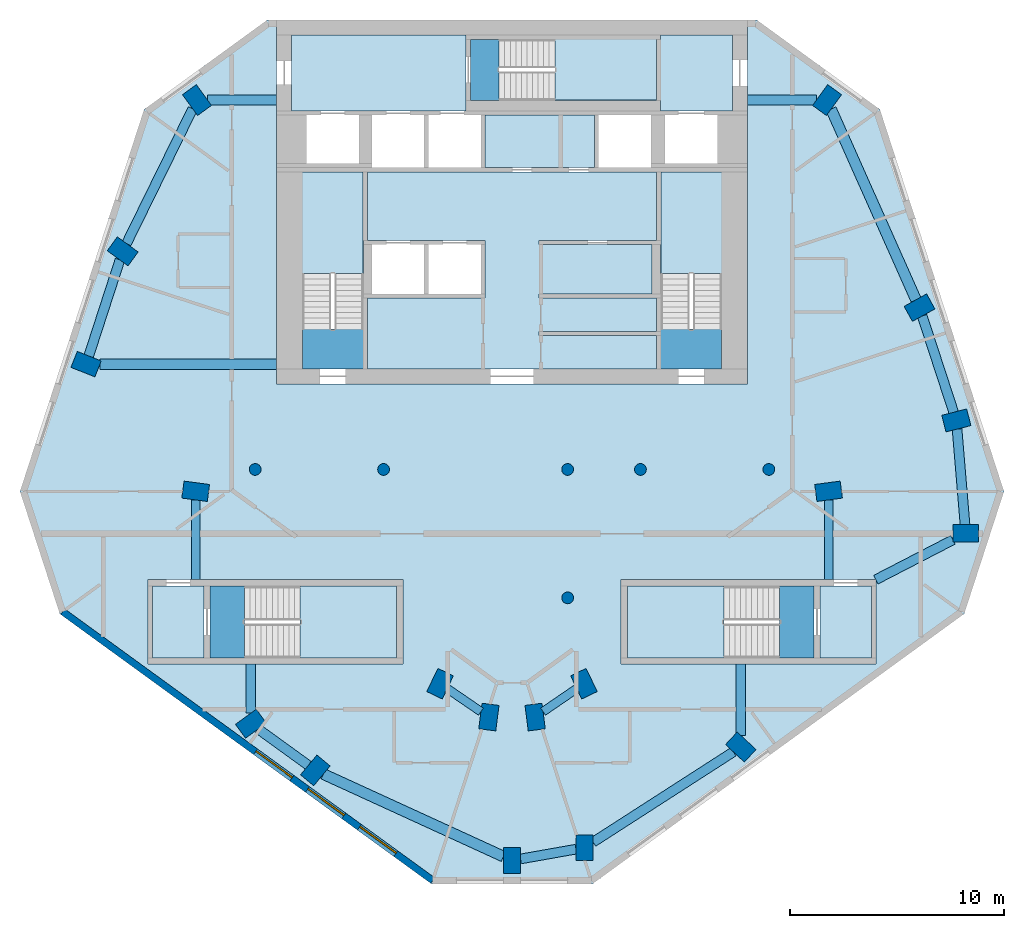
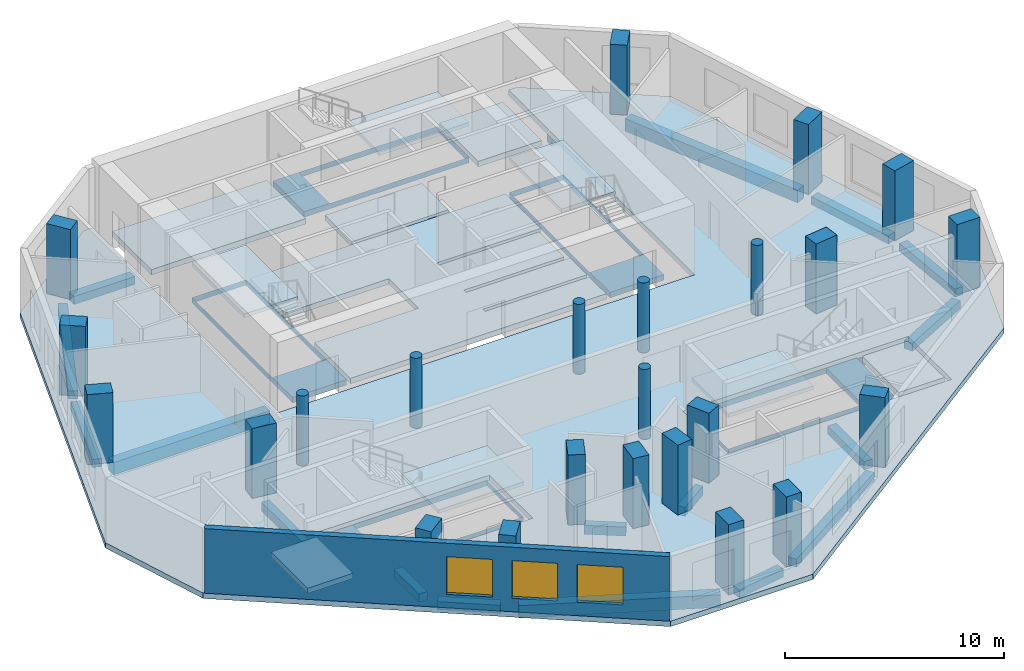
# One storey, part 1 of 8: 24 columns, 19 beams, 17 slabs, 3 windows, 1 wall, 3 openings, 5 elements without a shape of their own.
"""IFC4 building model written with IfcOpenShell, lengths in metres."""

from ifc_helpers import new_model, si_unit, direction, frame, frame_2d, origin, origin_2d, place, context, subcontext, project, spatial, polyline, rectangle, circle, outline, extrude, material, layer, layer_set, material_profile, profile_set, type_object, element, fill, aggregate, save


model = new_model("IFC4")

# Units and contexts
model_context = context("Model", 3, precision=1e-05, world=origin(), true_north=direction((0.0, 1.0)))
body_context = subcontext(model_context, "Body", "Model", "MODEL_VIEW")
ifc_project = project(units=[si_unit("LENGTHUNIT", "METRE"), si_unit("AREAUNIT", "SQUARE_METRE"), si_unit("VOLUMEUNIT", "CUBIC_METRE"), si_unit("PLANEANGLEUNIT", "RADIAN"), si_unit("MASSUNIT", "GRAM", prefix="KILO")], contexts=[model_context])

# Site, building, storey
site_placement = place(None, origin())
site = spatial("IfcSite", under=ifc_project, at=site_placement, CompositionType="ELEMENT")
building_placement = place(site_placement, origin())
building = spatial("IfcBuilding", under=site, at=building_placement, Name="White Candle Pilgrim Tower", CompositionType="ELEMENT")
storey_placement = place(building_placement, frame((0.0, 0.0, 287.300048828125)))
storey = spatial("IfcBuildingStorey", under=building, at=storey_placement, Name="L68", CompositionType="ELEMENT", Elevation=287.300048828125)

# Columns
ifc_material_1 = material(Name="Concrete C60/75", Category="concrete")
ifc_material_profile_1 = material_profile(ifc_material_1, circle(Radius=0.27490234375, at=origin_2d()), Name="RC-COL D550")
ifc_profile_set_1 = profile_set([ifc_material_profile_1], Name="Concrete C60/75")
column_type_1 = type_object("IfcColumnType", Name="Interior column RC-COL D550 C60/75", PredefinedType="COLUMN", material=ifc_profile_set_1)
for number, where, z_axis, x_axis, name in (
    (1, (58.0, 67.0, 0.0), (0.0, 0.0, 1.0), (1.0, 0.0, 0.0), "L68 column I01"),
    (2, (64.0, 67.0, 0.0), (0.0, 0.0, 1.0), (1.0, 0.0, 0.0), "L68 column I02"),
    (3, (72.60009765625, 61.0, 0.0), (0.0, 0.0, 1.0), (1.0, 0.0, 0.0), "L68 column I03"),
    (4, (72.60009765625, 67.0, 0.0), (0.0, 0.0, 1.0), (1.0, 0.0, 0.0), "L68 column I04"),
    (5, (76.0, 67.0, 0.0), (0.0, 0.0, 1.0), (1.0, 0.0, 0.0), "L68 column I05"),
    (6, (82.0, 67.0, 0.0), (0.0, 0.0, 1.0), (1.0, 0.0, 0.0), "L68 column I06"),
):
    element("IfcColumn", number, at=place(storey_placement, frame(where, z_axis=z_axis, x_axis=x_axis)), inside=storey, type_object=column_type_1, Name=name, PredefinedType="COLUMN", context=body_context, shape_type="SweptSolid", body=[
        extrude(circle(Radius=0.27490234375, at=origin_2d()), origin(), (0.0, 0.0, 1.0), 3.89990234375),
    ])
ifc_material_profile_2 = material_profile(ifc_material_1, rectangle(XDim=0.800048828125, YDim=1.199951171875, at=origin_2d()), Name="RC-PR 800x1200")
ifc_profile_set_2 = profile_set([ifc_material_profile_2], Name="Concrete C60/75")
column_type_2 = type_object("IfcColumnType", Name="Perimeter column RC-PR 800x1200 C60/75", PredefinedType="COLUMN", material=ifc_profile_set_2)
for number, where, z_axis, x_axis, name in (
    (7, (57.800048828125, 55.1201171875, 0.0), (0.0, 0.0, 1.0), (-0.58846280644, 0.808524288711, 0.0), "L68 column T01"),
    (8, (60.81005859375, 52.93994140625, 0.0), (0.0, 0.0, 1.0), (-0.769310358735, 0.638875239733, 0.0), "L68 column T02"),
    (9, (70.0, 48.72998046875, 0.0), (0.0, 0.0, 1.0), (-1.0, 0.0, 0.0), "L68 column T03"),
    (10, (73.389892578125, 49.330078125, 0.0), (0.0, 0.0, 1.0), (-1.0, 0.0, 0.0), "L68 column T04"),
    (11, (80.68994140625, 54.030029296875, 0.0), (0.0, 0.0, 1.0), (-0.681998360062, -0.731353701619, 0.0), "L68 column T05"),
    (12, (91.199951171875, 64.02001953125, 0.0), (0.0, 0.0, 1.0), (0.000855211229, -0.999999634307, 0.0), "L68 column T06"),
    (13, (90.760009765625, 69.2900390625, 0.0), (0.0, 0.0, 1.0), (0.246880623275, -0.969045900797, 0.0), "L68 column T07"),
    (14, (89.0400390625, 74.56005859375, 0.0), (0.0, 0.0, 1.0), (0.484809620246, -0.874619707139, 0.0), "L68 column T08"),
    (15, (84.719970703125, 84.260009765625, 0.0), (0.0, 0.0, 1.0), (0.80902725304, -0.587771132193, 0.0), "L68 column T09"),
    (16, (55.280029296875, 84.260009765625, 0.0), (0.0, 0.0, 1.0), (0.80902725304, 0.587771132193, 0.0), "L68 column T10"),
    (17, (51.81005859375, 77.18994140625, 0.0), (0.0, 0.0, 1.0), (0.587107285614, 0.809509132239, 0.0), "L68 column T11"),
    (18, (50.10009765625, 71.919921875, 0.0), (0.0, 0.0, 1.0), (0.369860269472, 0.929087391512, 0.0), "L68 column T12"),
):
    element("IfcColumn", number, at=place(storey_placement, frame(where, z_axis=z_axis, x_axis=x_axis)), inside=storey, type_object=column_type_2, Name=name, PredefinedType="COLUMN", context=body_context, shape_type="SweptSolid", body=[
        extrude(rectangle(XDim=0.800048828125, YDim=1.199951171875, at=origin_2d()), origin(), (0.0, 0.0, 1.0), 3.89990234375),
    ])
ifc_material_profile_3 = material_profile(ifc_material_1, rectangle(XDim=0.800048828125, YDim=1.199951171875, at=origin_2d()), Name="RC-PR 800x1200")
ifc_profile_set_3 = profile_set([ifc_material_profile_3], Name="Concrete C60/75")
column_type_3 = type_object("IfcColumnType", Name="Ring column RC-PR 800x1200 C60/75", PredefinedType="COLUMN", material=ifc_profile_set_3)
for number, where, z_axis, x_axis, name in (
    (19, (66.639892578125, 56.989990234375, 0.0), (0.0, 0.0, 1.0), (-0.901689191761, 0.43238478403, 0.0), "L68 column R01"),
    (20, (68.919921875, 55.429931640625, 0.0), (0.0, 0.0, 1.0), (-0.992092811428, 0.125506388335, 0.0), "L68 column R02"),
    (21, (71.080078125, 55.429931640625, 0.0), (0.0, 0.0, 1.0), (-0.992092811428, -0.125506388335, 0.0), "L68 column R03"),
    (22, (73.360107421875, 56.989990234375, 0.0), (0.0, 0.0, 1.0), (-0.901689191761, -0.43238478403, 0.0), "L68 column R04"),
    (23, (84.7900390625, 65.97998046875, 0.0), (0.0, 0.0, 1.0), (0.132602381688, -0.991169313675, 0.0), "L68 column R05"),
    (24, (55.219970703125, 65.97998046875, 0.0), (0.0, 0.0, 1.0), (0.132602381688, 0.991169313675, 0.0), "L68 column R06"),
):
    element("IfcColumn", number, at=place(storey_placement, frame(where, z_axis=z_axis, x_axis=x_axis)), inside=storey, type_object=column_type_3, Name=name, PredefinedType="COLUMN", context=body_context, shape_type="SweptSolid", body=[
        extrude(rectangle(XDim=0.800048828125, YDim=1.199951171875, at=origin_2d()), origin(), (0.0, 0.0, 1.0), 3.89990234375),
    ])

# Beams
ifc_material_2 = material(Name="Concrete C50/60", Category="concrete")
ifc_material_profile_4 = material_profile(ifc_material_2, rectangle(XDim=0.39990234375, YDim=0.5, at=origin_2d()), Name="RC-BM 400x500")
ifc_profile_set_4 = profile_set([ifc_material_profile_4], Name="Concrete C50/60")
beam_type_1 = type_object("IfcBeamType", Name="Ring beam RC-BM 400x500 C50/60", PredefinedType="BEAM", material=ifc_profile_set_4)
for number, where, z_axis, x_axis, name in (
    (25, (66.97412109375, 56.761474609375, -0.550048828125), (0.825257044892, -0.564757301729, 0.0), (0.564757301729, 0.825257044892, 0.0), "L68 ring beam R01"),
    (26, (71.451171875, 55.683837890625, -0.550048828125), (0.825257044892, 0.564757301729, 0.0), (-0.564757301729, 0.825257044892, 0.0), "L68 ring beam R02"),
):
    element("IfcBeam", number, at=place(storey_placement, frame(where, z_axis=z_axis, x_axis=x_axis)), inside=storey, type_object=beam_type_1, Name=name, PredefinedType="BEAM", context=body_context, shape_type="SweptSolid", body=[
        extrude(rectangle(XDim=0.39990234375, YDim=0.5, at=origin_2d()), origin(), (0.0, 0.0, 1.0), 1.908203125),
    ])
for number, where, z_axis, x_axis, name in (
    (27, (84.7900390625, 65.576416015625, -0.550048828125), (0.0, -1.0, 0.0), (1.0, 0.0, 0.0), "L68 ring beam R03"),
    (28, (55.219970703125, 65.576416015625, -0.550048828125), (0.0, -1.0, 0.0), (1.0, 0.0, 0.0), "L68 ring beam R04"),
):
    element("IfcBeam", number, at=place(storey_placement, frame(where, z_axis=z_axis, x_axis=x_axis)), inside=storey, type_object=beam_type_1, Name=name, PredefinedType="BEAM", context=body_context, shape_type="SweptSolid", body=[
        extrude(rectangle(XDim=0.39990234375, YDim=0.5, at=origin_2d()), origin(), (0.0, 0.0, 1.0), 3.726318359375),
    ])
ifc_material_profile_5 = material_profile(ifc_material_2, rectangle(XDim=0.449951171875, YDim=0.449951171875, at=origin_2d()), Name="RC-BM 450x450")
ifc_profile_set_5 = profile_set([ifc_material_profile_5], Name="Concrete C50/60")
beam_type_2 = type_object("IfcBeamType", Name="Spandrel beam RC-BM 450x450 C50/60", PredefinedType="BEAM", material=ifc_profile_set_5)
beam_1_placement = place(storey_placement, frame((58.140625, 54.873291015625, -0.525146484375), z_axis=(0.809886863982, -0.586586112647, 0.0), x_axis=(0.586586112647, 0.809886863982, 0.0)))
element("IfcBeam", 29, at=beam_1_placement, inside=storey, type_object=beam_type_2, Name="L68 spandrel beam T01", PredefinedType="BEAM", context=body_context, shape_type="SweptSolid", body=[
    extrude(rectangle(XDim=0.449951171875, YDim=0.449951171875, at=origin_2d()), origin(), (0.0, 0.0, 1.0), 2.89501953125),
])
beam_2_placement = place(storey_placement, frame((70.39990234375, 48.80078125, -0.525146484375), z_axis=(0.984690914207, 0.174309504843, 0.0), x_axis=(-0.174309504843, 0.984690914207, 0.0)))
element("IfcBeam", 30, at=beam_2_placement, inside=storey, type_object=beam_type_2, Name="L68 spandrel beam T03", PredefinedType="BEAM", context=body_context, shape_type="SweptSolid", body=[
    extrude(rectangle(XDim=0.449951171875, YDim=0.449951171875, at=origin_2d()), origin(), (0.0, 0.0, 1.0), 2.63037109375),
])
beam_3_placement = place(storey_placement, frame((73.7900390625, 49.58740234375, -0.525146484375), z_axis=(0.840792523654, 0.541357490175, 0.0), x_axis=(-0.541357490175, 0.840792523654, 0.0)))
element("IfcBeam", 31, at=beam_3_placement, inside=storey, type_object=beam_type_2, Name="L68 spandrel beam T04", PredefinedType="BEAM", context=body_context, shape_type="SweptSolid", body=[
    extrude(rectangle(XDim=0.449951171875, YDim=0.449951171875, at=origin_2d()), origin(), (0.0, 0.0, 1.0), 7.793701171875),
])
beam_4_placement = place(storey_placement, frame((80.68994140625, 54.576904296875, -0.525146484375), z_axis=(0.0, 1.0, 0.0), x_axis=(-1.0, 0.0, 0.0)))
element("IfcBeam", 32, at=beam_4_placement, inside=storey, type_object=beam_type_2, Name="L68 spandrel beam T05", PredefinedType="BEAM", context=body_context, shape_type="SweptSolid", body=[
    extrude(rectangle(XDim=0.449951171875, YDim=0.449951171875, at=origin_2d()), origin(), (0.0, 0.0, 1.0), 3.322998046875),
])
beam_5_placement = place(storey_placement, frame((90.600341796875, 63.710205078125, -0.525146484375), z_axis=(-0.888432867753, -0.459006578925, 0.0), x_axis=(0.459006578925, -0.888432867753, 0.0)))
element("IfcBeam", 33, at=beam_5_placement, inside=storey, type_object=beam_type_2, Name="L68 spandrel beam T06", PredefinedType="BEAM", context=body_context, shape_type="SweptSolid", body=[
    extrude(rectangle(XDim=0.449951171875, YDim=0.449951171875, at=origin_2d()), origin(), (0.0, 0.0, 1.0), 4.052490234375),
])
beam_6_placement = place(storey_placement, frame((91.16650390625, 64.419921875, -0.525146484375), z_axis=(-0.083189754962, 0.996533724803, 0.0), x_axis=(-0.996533724803, -0.083189754962, 0.0)))
element("IfcBeam", 34, at=beam_6_placement, inside=storey, type_object=beam_type_2, Name="L68 spandrel beam T07", PredefinedType="BEAM", context=body_context, shape_type="SweptSolid", body=[
    extrude(rectangle(XDim=0.449951171875, YDim=0.449951171875, at=origin_2d()), origin(), (0.0, 0.0, 1.0), 4.4814453125),
])
beam_7_placement = place(storey_placement, frame((90.635498046875, 69.671142578125, -0.525146484375), z_axis=(-0.310235376741, 0.950659776691, 0.0), x_axis=(-0.950659776691, -0.310235376741, 0.0)))
element("IfcBeam", 35, at=beam_7_placement, inside=storey, type_object=beam_type_2, Name="L68 spandrel beam T08", PredefinedType="BEAM", context=body_context, shape_type="SweptSolid", body=[
    extrude(rectangle(XDim=0.449951171875, YDim=0.449951171875, at=origin_2d()), origin(), (0.0, 0.0, 1.0), 4.735107421875),
])
for number, where, z_axis, x_axis, name in (
    (36, (84.2255859375, 84.260009765625, -0.525146484375), (-1.0, 0.0, 0.0), (0.0, -1.0, 0.0), "L68 spandrel beam T10"),
    (37, (55.7744140625, 84.260009765625, -0.525146484375), (1.0, 0.0, 0.0), (0.0, 1.0, 0.0), "L68 spandrel beam T11"),
):
    element("IfcBeam", number, at=place(storey_placement, frame(where, z_axis=z_axis, x_axis=x_axis)), inside=storey, type_object=beam_type_2, Name=name, PredefinedType="BEAM", context=body_context, shape_type="SweptSolid", body=[
        extrude(rectangle(XDim=0.449951171875, YDim=0.449951171875, at=origin_2d()), origin(), (0.0, 0.0, 1.0), 3.2255859375),
    ])
beam_8_placement = place(storey_placement, frame((55.080810546875, 83.853759765625, -0.525146484375), z_axis=(-0.440604884501, -0.897701139441, 0.0), x_axis=(0.897701139441, -0.440604884501, 0.0)))
element("IfcBeam", 38, at=beam_8_placement, inside=storey, type_object=beam_type_2, Name="L68 spandrel beam T12", PredefinedType="BEAM", context=body_context, shape_type="SweptSolid", body=[
    extrude(rectangle(XDim=0.449951171875, YDim=0.449951171875, at=origin_2d()), origin(), (0.0, 0.0, 1.0), 7.01708984375),
])
beam_9_placement = place(storey_placement, frame((51.68017578125, 76.7900390625, -0.525146484375), z_axis=(-0.308643859688, -0.95117767419, 0.0), x_axis=(0.95117767419, -0.308643859688, 0.0)))
element("IfcBeam", 39, at=beam_9_placement, inside=storey, type_object=beam_type_2, Name="L68 spandrel beam T13", PredefinedType="BEAM", context=body_context, shape_type="SweptSolid", body=[
    extrude(rectangle(XDim=0.449951171875, YDim=0.449951171875, at=origin_2d()), origin(), (0.0, 0.0, 1.0), 4.71923828125),
])
beam_10_placement = place(storey_placement, frame((57.800048828125, 55.61474609375, -0.525146484375), z_axis=(0.0, 1.0, 0.0), x_axis=(-1.0, 0.0, 0.0)))
element("IfcBeam", 40, at=beam_10_placement, inside=storey, type_object=beam_type_2, Name="L68 spandrel beam T15", PredefinedType="BEAM", context=body_context, shape_type="SweptSolid", body=[
    extrude(rectangle(XDim=0.449951171875, YDim=0.449951171875, at=origin_2d()), origin(), (0.0, 0.0, 1.0), 2.28515625),
])
ifc_material_profile_6 = material_profile(ifc_material_2, rectangle(XDim=0.5, YDim=0.699951171875, at=origin_2d()), Name="RC-BM 500x700")
ifc_profile_set_6 = profile_set([ifc_material_profile_6], Name="Concrete C50/60")
beam_type_3 = type_object("IfcBeamType", Name="Spandrel beam RC-BM 500x700 C50/60", PredefinedType="BEAM", material=ifc_profile_set_6)
beam_11_placement = place(storey_placement, frame((61.186767578125, 52.767578125, -0.650146484375), z_axis=(0.90913101106, -0.416510269656, 0.0), x_axis=(0.416510269656, 0.90913101106, 0.0)))
element("IfcBeam", 41, at=beam_11_placement, inside=storey, type_object=beam_type_3, Name="L68 spandrel beam T02", PredefinedType="BEAM", context=body_context, shape_type="SweptSolid", body=[
    extrude(rectangle(XDim=0.5, YDim=0.699951171875, at=origin_2d()), origin(), (0.0, 0.0, 1.0), 9.254150390625),
])
beam_12_placement = place(storey_placement, frame((88.876708984375, 74.9267578125, -0.650146484375), z_axis=(-0.406834969126, 0.913501673724, 0.0), x_axis=(-0.913501673724, -0.406834969126, 0.0)))
element("IfcBeam", 42, at=beam_12_placement, inside=storey, type_object=beam_type_3, Name="L68 spandrel beam T09", PredefinedType="BEAM", context=body_context, shape_type="SweptSolid", body=[
    extrude(rectangle(XDim=0.5, YDim=0.699951171875, at=origin_2d()), origin(), (0.0, 0.0, 1.0), 9.755126953125),
])
beam_13_placement = place(storey_placement, frame((50.745849609375, 71.919921875, -0.650146484375), z_axis=(1.0, 0.0, 0.0), x_axis=(0.0, 1.0, 0.0)))
element("IfcBeam", 43, at=beam_13_placement, inside=storey, type_object=beam_type_3, Name="L68 spandrel beam T14", PredefinedType="BEAM", context=body_context, shape_type="SweptSolid", body=[
    extrude(rectangle(XDim=0.5, YDim=0.699951171875, at=origin_2d()), origin(), (0.0, 0.0, 1.0), 8.254150390625),
])

# Slabs
ifc_material_3 = material(Name="Concrete C40/50", Category="concrete")
ifc_layer_1 = layer(ifc_material_3, 0.300048828125)
ifc_layer_set_1 = layer_set([ifc_layer_1], Name="Core floor slab 300 mm Concrete C40/50")
slab_type_1 = type_object("IfcSlabType", Name="Core floor slab 300 mm Concrete C40/50", PredefinedType="FLOOR", material=ifc_layer_set_1)
slab_1_placement = place(storey_placement, frame((0.0, 0.0, -0.300048828125)))
element("IfcSlab", 44, at=slab_1_placement, inside=storey, type_object=slab_type_1, Name="CF-L68-01", PredefinedType="FLOOR", context=body_context, shape_type="SweptSolid", body=[
    extrude(outline(polyline([(55.60009765625, 58.199951171875), (53.199951171875, 58.199951171875), (53.199951171875, 61.550048828125), (55.60009765625, 61.550048828125), (55.60009765625, 58.199951171875)])), origin(), (0.0, 0.0, 1.0), 0.300048828125),
])
slab_2_placement = place(storey_placement, frame((0.0, 0.0, -0.300048828125)))
element("IfcSlab", 45, at=slab_2_placement, inside=storey, type_object=slab_type_1, Name="CF-L68-02", PredefinedType="FLOOR", context=body_context, shape_type="SweptSolid", body=[
    extrude(outline(polyline([(55.89990234375, 58.199951171875), (55.89990234375, 61.550048828125), (64.60009765625, 61.550048828125), (64.60009765625, 58.199951171875), (55.89990234375, 58.199951171875)]), holes=[polyline([(57.501953125, 61.548095703125), (57.501953125, 58.201904296875), (64.597900390625, 58.201904296875), (64.597900390625, 61.548095703125), (57.501953125, 61.548095703125)])]), origin(), (0.0, 0.0, 1.0), 0.300048828125),
])
slab_3_placement = place(storey_placement, frame((0.0, 0.0, -0.300048828125)))
element("IfcSlab", 46, at=slab_3_placement, inside=storey, type_object=slab_type_1, Name="CF-L68-03", PredefinedType="FLOOR", context=body_context, shape_type="SweptSolid", body=[
    extrude(outline(polyline([(75.39990234375, 58.199951171875), (75.39990234375, 61.550048828125), (84.10009765625, 61.550048828125), (84.10009765625, 58.199951171875), (75.39990234375, 58.199951171875)]), holes=[polyline([(82.498046875, 61.548095703125), (75.402099609375, 61.548095703125), (75.402099609375, 58.201904296875), (82.498046875, 58.201904296875), (82.498046875, 61.548095703125)])]), origin(), (0.0, 0.0, 1.0), 0.300048828125),
])
slab_4_placement = place(storey_placement, frame((0.0, 0.0, -0.300048828125)))
element("IfcSlab", 47, at=slab_4_placement, inside=storey, type_object=slab_type_1, Name="CF-L68-04", PredefinedType="FLOOR", context=body_context, shape_type="SweptSolid", body=[
    extrude(outline(polyline([(86.800048828125, 58.199951171875), (84.39990234375, 58.199951171875), (84.39990234375, 61.550048828125), (86.800048828125, 61.550048828125), (86.800048828125, 58.199951171875)])), origin(), (0.0, 0.0, 1.0), 0.300048828125),
])
slab_5_placement = place(storey_placement, frame((0.0, 0.0, -0.300048828125)))
element("IfcSlab", 48, at=slab_5_placement, inside=storey, type_object=slab_type_1, Name="CF-L68-05", PredefinedType="FLOOR", context=body_context, shape_type="SweptSolid", body=[
    extrude(outline(polyline([(76.949951171875, 71.699951171875), (76.949951171875, 73.25), (76.949951171875, 73.449951171875), (76.949951171875, 75.0), (76.949951171875, 75.199951171875), (76.949951171875, 77.5), (76.949951171875, 77.699951171875), (76.949951171875, 80.89990234375), (79.800048828125, 80.89990234375), (79.800048828125, 71.699951171875), (76.949951171875, 71.699951171875)]), holes=[polyline([(76.951904296875, 73.552001953125), (79.798095703125, 73.552001953125), (79.798095703125, 80.89794921875), (76.951904296875, 80.89794921875), (76.951904296875, 73.552001953125)])]), origin(), (0.0, 0.0, 1.0), 0.300048828125),
])
slab_6_placement = place(storey_placement, frame((0.0, 0.0, -0.300048828125)))
element("IfcSlab", 49, at=slab_6_placement, inside=storey, type_object=slab_type_1, Name="CF-L68-06", PredefinedType="FLOOR", context=body_context, shape_type="SweptSolid", body=[
    extrude(outline(polyline([(63.25, 71.699951171875), (63.25, 75.0), (68.75, 75.0), (68.75, 75.199951171875), (68.75, 77.5), (68.75, 77.699951171875), (63.25, 77.699951171875), (63.25, 80.89990234375), (76.75, 80.89990234375), (76.75, 77.699951171875), (71.25, 77.699951171875), (71.25, 77.5), (76.550048828125, 77.5), (76.550048828125, 75.199951171875), (71.25, 75.199951171875), (71.25, 75.0), (76.75, 75.0), (76.75, 73.449951171875), (71.25, 73.449951171875), (71.25, 73.25), (76.75, 73.25), (76.75, 71.699951171875), (63.25, 71.699951171875)])), origin(), (0.0, 0.0, 1.0), 0.300048828125),
])
slab_7_placement = place(storey_placement, frame((0.0, 0.0, -0.300048828125)))
element("IfcSlab", 50, at=slab_7_placement, inside=storey, type_object=slab_type_1, Name="CF-L68-07", PredefinedType="FLOOR", context=body_context, shape_type="SweptSolid", body=[
    extrude(outline(polyline([(60.199951171875, 71.699951171875), (60.199951171875, 80.89990234375), (63.050048828125, 80.89990234375), (63.050048828125, 77.699951171875), (63.050048828125, 77.5), (63.050048828125, 75.199951171875), (63.050048828125, 75.0), (63.050048828125, 71.699951171875), (60.199951171875, 71.699951171875)]), holes=[polyline([(60.201904296875, 73.552001953125), (63.048095703125, 73.552001953125), (63.048095703125, 80.89794921875), (60.201904296875, 80.89794921875), (60.201904296875, 73.552001953125)])]), origin(), (0.0, 0.0, 1.0), 0.300048828125),
])
slab_8_placement = place(storey_placement, frame((0.0, 0.0, -0.300048828125)))
element("IfcSlab", 51, at=slab_8_placement, inside=storey, type_object=slab_type_1, Name="CF-L68-08", PredefinedType="FLOOR", context=body_context, shape_type="SweptSolid", body=[
    extrude(outline(polyline([(59.699951171875, 87.300048828125), (67.85009765625, 87.300048828125), (67.85009765625, 87.10009765625), (67.85009765625, 84.25), (67.85009765625, 83.75), (59.699951171875, 83.75), (59.699951171875, 87.300048828125)])), origin(), (0.0, 0.0, 1.0), 0.300048828125),
])
slab_9_placement = place(storey_placement, frame((0.0, 0.0, -0.300048828125)))
element("IfcSlab", 52, at=slab_9_placement, inside=storey, type_object=slab_type_1, Name="CF-L68-09", PredefinedType="FLOOR", context=body_context, shape_type="SweptSolid", body=[
    extrude(outline(polyline([(80.300048828125, 87.300048828125), (80.300048828125, 83.75), (76.949951171875, 83.75), (76.949951171875, 84.25), (76.949951171875, 87.10009765625), (76.949951171875, 87.300048828125), (80.300048828125, 87.300048828125)])), origin(), (0.0, 0.0, 1.0), 0.300048828125),
])
slab_10_placement = place(storey_placement, frame((0.0, 0.0, -0.300048828125)))
element("IfcSlab", 53, at=slab_10_placement, inside=storey, type_object=slab_type_1, Name="CF-L68-10", PredefinedType="FLOOR", context=body_context, shape_type="SweptSolid", body=[
    extrude(outline(polyline([(68.75, 81.10009765625), (68.75, 83.550048828125), (73.85009765625, 83.550048828125), (73.85009765625, 81.10009765625), (68.75, 81.10009765625)])), origin(), (0.0, 0.0, 1.0), 0.300048828125),
])
slab_11_placement = place(storey_placement, frame((0.0, 0.0, -0.300048828125)))
element("IfcSlab", 54, at=slab_11_placement, inside=storey, type_object=slab_type_1, Name="CF-L68-11", PredefinedType="FLOOR", context=body_context, shape_type="SweptSolid", body=[
    extrude(outline(polyline([(68.050048828125, 87.10009765625), (76.75, 87.10009765625), (76.75, 84.25), (68.050048828125, 84.25), (68.050048828125, 87.10009765625)]), holes=[polyline([(69.402099609375, 84.251953125), (76.748046875, 84.251953125), (76.748046875, 87.097900390625), (69.402099609375, 87.097900390625), (69.402099609375, 84.251953125)])]), origin(), (0.0, 0.0, 1.0), 0.300048828125),
])
ifc_layer_2 = layer(ifc_material_3, 0.300048828125)
ifc_layer_set_2 = layer_set([ifc_layer_2], Name="Floor slab 300 REI 120")
slab_type_2 = type_object("IfcSlabType", Name="Floor slab 300 REI 120", PredefinedType="FLOOR", material=ifc_layer_set_2)
slab_12_placement = place(storey_placement, frame((0.0, 0.0, -0.300048828125)))
element("IfcSlab", 55, at=slab_12_placement, inside=storey, type_object=slab_type_2, Name="L68 floor slab", PredefinedType="FLOOR", context=body_context, shape_type="SweptSolid", body=[
    extrude(outline(polyline([(66.242919921875, 47.6337890625), (73.757080078125, 47.6337890625), (91.129638671875, 60.255859375), (92.98779296875, 65.974853515625), (87.189453125, 83.82080078125), (81.43701171875, 88.0), (81.0, 88.0), (81.0, 71.0), (59.0, 71.0), (59.0, 88.0), (58.56298828125, 88.0), (52.810546875, 83.82080078125), (47.01220703125, 65.974853515625), (48.870361328125, 60.255859375), (66.242919921875, 47.6337890625)]), holes=[polyline([(53.0, 57.89990234375), (53.0, 61.85009765625), (64.89990234375, 61.85009765625), (64.89990234375, 57.89990234375), (53.0, 57.89990234375)]), polyline([(75.10009765625, 57.89990234375), (75.10009765625, 61.85009765625), (87.0, 61.85009765625), (87.0, 57.89990234375), (75.10009765625, 57.89990234375)])]), origin(), (0.0, 0.0, 1.0), 0.300048828125),
])

# Stair, slab
stair_type_1 = type_object("IfcStairType", Name="Exit stair 1 flight width 1350 mm", PredefinedType="HALF_TURN_STAIR", material=ifc_material_3)
stair_1_placement = place(storey_placement, origin())
stair_1 = element("IfcStair", 56, at=stair_1_placement, inside=storey, type_object=stair_type_1, Name="L68 stair 1", PredefinedType="NOTDEFINED")
ifc_layer_3 = layer(ifc_material_3, 0.199951171875)
ifc_layer_set_3 = layer_set([ifc_layer_3], Name="Stair landing Concrete C40/50")
slab_type_3 = type_object("IfcSlabType", Name="Stair landing Concrete C40/50", PredefinedType="LANDING", material=ifc_layer_set_3)
slab_13_placement = place(storey_placement, frame((0.0, 0.0, 1.75)))
slab_13 = element("IfcSlab", 57, at=slab_13_placement, type_object=slab_type_3, Name="ST1 landing 1", PredefinedType="LANDING", context=body_context, shape_type="SweptSolid", body=[
    extrude(outline(polyline([(63.052001953125, 76.14794921875), (60.197998046875, 76.14794921875), (60.197998046875, 80.902099609375), (63.052001953125, 80.902099609375), (63.052001953125, 76.14794921875)])), origin(), (0.0, 0.0, 1.0), 0.199951171875),
])
aggregate(stair_1, [slab_13])

stair_type_2 = type_object("IfcStairType", Name="Exit stair 2 flight width 1350 mm", PredefinedType="HALF_TURN_STAIR", material=ifc_material_3)
stair_2_placement = place(storey_placement, origin())
stair_2 = element("IfcStair", 58, at=stair_2_placement, inside=storey, type_object=stair_type_2, Name="L68 stair 2", PredefinedType="NOTDEFINED")
slab_14_placement = place(storey_placement, frame((0.0, 0.0, 1.75)))
slab_14 = element("IfcSlab", 59, at=slab_14_placement, type_object=slab_type_3, Name="ST2 landing 1", PredefinedType="LANDING", context=body_context, shape_type="SweptSolid", body=[
    extrude(outline(polyline([(79.802001953125, 76.14794921875), (76.947998046875, 76.14794921875), (76.947998046875, 80.902099609375), (79.802001953125, 80.902099609375), (79.802001953125, 76.14794921875)])), origin(), (0.0, 0.0, 1.0), 0.199951171875),
])
aggregate(stair_2, [slab_14])

stair_type_3 = type_object("IfcStairType", Name="Exit stair 3 flight width 1350 mm", PredefinedType="HALF_TURN_STAIR", material=ifc_material_3)
stair_3_placement = place(storey_placement, origin())
stair_3 = element("IfcStair", 60, at=stair_3_placement, inside=storey, type_object=stair_type_3, Name="L68 stair 3", PredefinedType="NOTDEFINED")
slab_15_placement = place(storey_placement, frame((0.0, 0.0, 1.75)))
slab_15 = element("IfcSlab", 61, at=slab_15_placement, type_object=slab_type_3, Name="ST3 landing 1", PredefinedType="LANDING", context=body_context, shape_type="SweptSolid", body=[
    extrude(outline(polyline([(71.998046875, 84.248046875), (71.998046875, 87.10205078125), (76.751953125, 87.10205078125), (76.751953125, 84.248046875), (71.998046875, 84.248046875)])), origin(), (0.0, 0.0, 1.0), 0.199951171875),
])
aggregate(stair_3, [slab_15])

stair_type_4 = type_object("IfcStairType", Name="Exit stair 4 flight width 1600 mm", PredefinedType="HALF_TURN_STAIR", material=ifc_material_3)
stair_4_placement = place(storey_placement, origin())
stair_4 = element("IfcStair", 62, at=stair_4_placement, inside=storey, type_object=stair_type_4, Name="L68 stair 4", PredefinedType="NOTDEFINED")
slab_16_placement = place(storey_placement, frame((0.0, 0.0, 1.75)))
slab_16 = element("IfcSlab", 63, at=slab_16_placement, type_object=slab_type_3, Name="ST4 landing 1", PredefinedType="LANDING", context=body_context, shape_type="SweptSolid", body=[
    extrude(outline(polyline([(79.902099609375, 61.552001953125), (79.902099609375, 58.197998046875), (75.39794921875, 58.197998046875), (75.39794921875, 61.552001953125), (79.902099609375, 61.552001953125)])), origin(), (0.0, 0.0, 1.0), 0.199951171875),
])
aggregate(stair_4, [slab_16])

stair_type_5 = type_object("IfcStairType", Name="Exit stair 5 flight width 1600 mm", PredefinedType="HALF_TURN_STAIR", material=ifc_material_3)
stair_5_placement = place(storey_placement, origin())
stair_5 = element("IfcStair", 64, at=stair_5_placement, inside=storey, type_object=stair_type_5, Name="L68 stair 5", PredefinedType="NOTDEFINED")
slab_17_placement = place(storey_placement, frame((0.0, 0.0, 1.75)))
slab_17 = element("IfcSlab", 65, at=slab_17_placement, type_object=slab_type_3, Name="ST5 landing 1", PredefinedType="LANDING", context=body_context, shape_type="SweptSolid", body=[
    extrude(outline(polyline([(60.097900390625, 58.197998046875), (60.097900390625, 61.552001953125), (64.60205078125, 61.552001953125), (64.60205078125, 58.197998046875), (60.097900390625, 58.197998046875)])), origin(), (0.0, 0.0, 1.0), 0.199951171875),
])
aggregate(stair_5, [slab_17])

# Wall, openings, windows
ifc_material_4 = material(Name="Precast concrete C40/50", Category="concrete")
ifc_layer_4 = layer(ifc_material_4, 0.320068359375)
ifc_layer_set_4 = layer_set([ifc_layer_4], Name="Facade wall EW1 precast concrete C40/50 pier wall with timber-lined reveals")
wall_type = type_object("IfcWallType", Name="Facade wall EW1 precast concrete C40/50 pier wall with timber-lined reveals", PredefinedType="SOLIDWALL", material=ifc_layer_set_4)
wall_placement = place(storey_placement, frame((49.00634765625, 60.354736328125, 0.0), z_axis=(0.0, 0.0, 1.0), x_axis=(0.809019072803, -0.58778239157, 0.0)))
wall = element("IfcWall", 66, at=wall_placement, inside=storey, type_object=wall_type, Name="Facade wall L68 SW", PredefinedType="SOLIDWALL", context=body_context, shape_type="SweptSolid", body=[
    extrude(rectangle(XDim=21.369873046875, YDim=0.320068359375, at=frame_2d((10.68505859375, 0.0))), origin(), (0.0, 0.0, 1.0), 3.599853515625),
])
opening_1_placement = place(wall_placement, frame((11.135009765625, 0.0, 0.75)))
opening_1 = element("IfcOpeningElement", 67, at=opening_1_placement, cuts=wall, Name="Opening W3", PredefinedType="OPENING", context=body_context, shape_type="SweptSolid", body=[
    extrude(rectangle(XDim=2.10009765625, YDim=2.10009765625, at=frame_2d((1.050048828125, 1.050048828125))), frame((0.0, 0.169921875, 0.0), z_axis=(0.0, -1.0, 0.0), x_axis=(1.0, 0.0, 0.0)), (0.0, 0.0, 1.0), 0.340087890625),
])
opening_2_placement = place(wall_placement, frame((14.135009765625, 0.0, 0.75)))
opening_2 = element("IfcOpeningElement", 68, at=opening_2_placement, cuts=wall, Name="Opening W3", PredefinedType="OPENING", context=body_context, shape_type="SweptSolid", body=[
    extrude(rectangle(XDim=2.10009765625, YDim=2.10009765625, at=frame_2d((1.050048828125, 1.050048828125))), frame((0.0, 0.169921875, 0.0), z_axis=(0.0, -1.0, 0.0), x_axis=(1.0, 0.0, 0.0)), (0.0, 0.0, 1.0), 0.340087890625),
])
opening_3_placement = place(wall_placement, frame((17.135009765625, 0.0, 0.75)))
opening_3 = element("IfcOpeningElement", 69, at=opening_3_placement, cuts=wall, Name="Opening W3", PredefinedType="OPENING", context=body_context, shape_type="SweptSolid", body=[
    extrude(rectangle(XDim=2.10009765625, YDim=2.10009765625, at=frame_2d((1.050048828125, 1.050048828125))), frame((0.0, 0.169921875, 0.0), z_axis=(0.0, -1.0, 0.0), x_axis=(1.0, 0.0, 0.0)), (0.0, 0.0, 1.0), 0.340087890625),
])
ifc_material_5 = material(Name="Timber frame with triple glazing", Category="wood")
window_type = type_object("IfcWindowType", Name="Window W3 2100x2100 timber frame triple glazing", PartitioningType="SINGLE_PANEL", PredefinedType="WINDOW", material=ifc_material_5)
window_1_placement = place(opening_1_placement, origin())
window_1 = element("IfcWindow", 70, at=window_1_placement, inside=storey, type_object=window_type, Name="Window W3 L68 SW 4", OverallHeight=2.10009765625, OverallWidth=2.10009765625, PartitioningType="SINGLE_PANEL", PredefinedType="WINDOW", context=body_context, shape_type="SweptSolid", body=[
    extrude(rectangle(XDim=2.10009765625, YDim=2.10009765625, at=frame_2d((1.050048828125, 1.050048828125))), frame((0.0, 0.070068359375, 0.0), z_axis=(0.0, -1.0, 0.0), x_axis=(1.0, 0.0, 0.0)), (0.0, 0.0, 1.0), 0.06005859375),
])
fill(opening_1, window_1)
window_2_placement = place(opening_2_placement, origin())
window_2 = element("IfcWindow", 71, at=window_2_placement, inside=storey, type_object=window_type, Name="Window W3 L68 SW 5", OverallHeight=2.10009765625, OverallWidth=2.10009765625, PartitioningType="SINGLE_PANEL", PredefinedType="WINDOW", context=body_context, shape_type="SweptSolid", body=[
    extrude(rectangle(XDim=2.10009765625, YDim=2.10009765625, at=frame_2d((1.050048828125, 1.050048828125))), frame((0.0, 0.070068359375, 0.0), z_axis=(0.0, -1.0, 0.0), x_axis=(1.0, 0.0, 0.0)), (0.0, 0.0, 1.0), 0.06005859375),
])
fill(opening_2, window_2)
window_3_placement = place(opening_3_placement, origin())
window_3 = element("IfcWindow", 72, at=window_3_placement, inside=storey, type_object=window_type, Name="Window W3 L68 SW 6", OverallHeight=2.10009765625, OverallWidth=2.10009765625, PartitioningType="SINGLE_PANEL", PredefinedType="WINDOW", context=body_context, shape_type="SweptSolid", body=[
    extrude(rectangle(XDim=2.10009765625, YDim=2.10009765625, at=frame_2d((1.050048828125, 1.050048828125))), frame((0.0, 0.070068359375, 0.0), z_axis=(0.0, -1.0, 0.0), x_axis=(1.0, 0.0, 0.0)), (0.0, 0.0, 1.0), 0.06005859375),
])
fill(opening_3, window_3)

save(model, "model.ifc")
